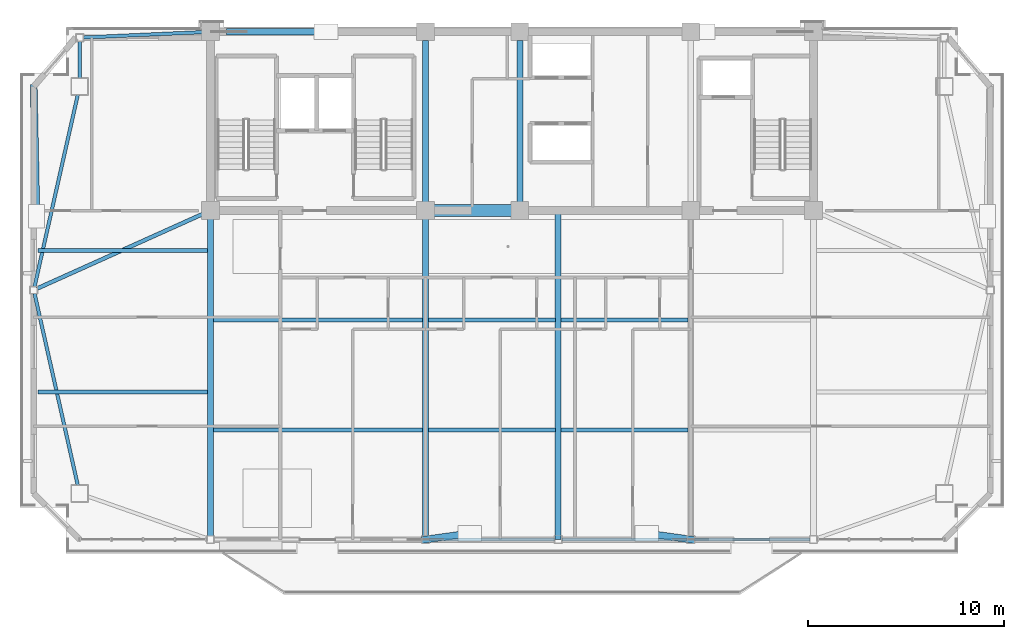
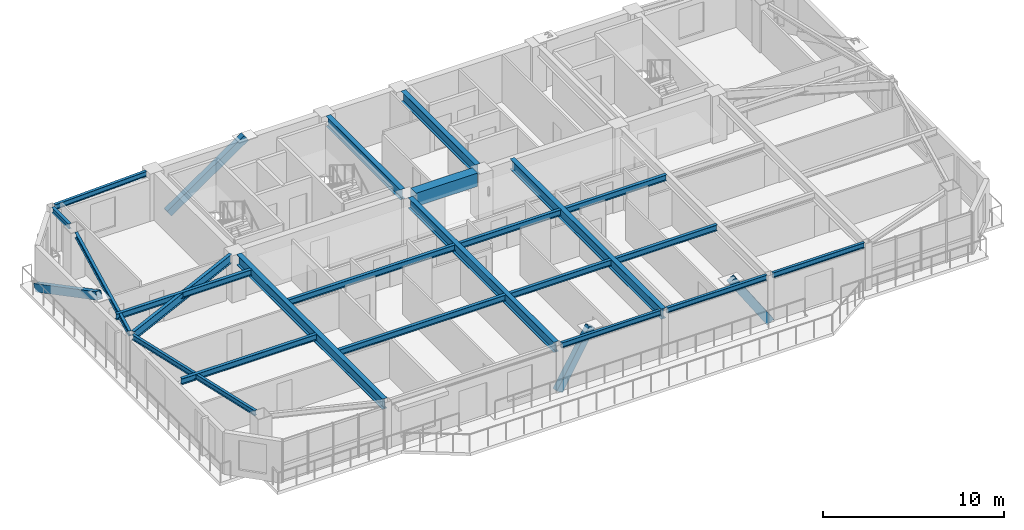
# One storey, part 3 of 14: 22 beams, 4 members.
"""IFC4 building model written with IfcOpenShell, lengths in metres."""

from ifc_helpers import new_model, si_unit, direction, frame, origin, origin_2d, place, context, subcontext, project, spatial, rectangle, hollow_rectangle, i_section, extrude, source, transform, mapped, material, material_profile, profile_set, type_object, element, save


model = new_model("IFC4")

# Units and contexts
model_context = context("Model", 3, precision=1e-05, world=origin(), true_north=direction((0.0, 1.0)))
body_context = subcontext(model_context, "Body", "Model", "MODEL_VIEW")
ifc_project = project(units=[si_unit("LENGTHUNIT", "METRE"), si_unit("AREAUNIT", "SQUARE_METRE"), si_unit("VOLUMEUNIT", "CUBIC_METRE"), si_unit("PLANEANGLEUNIT", "RADIAN"), si_unit("MASSUNIT", "GRAM", prefix="KILO")], contexts=[model_context])

# Site, building, storey
site_placement = place(None, origin())
site = spatial("IfcSite", under=ifc_project, at=site_placement, CompositionType="ELEMENT")
building_placement = place(site_placement, origin())
building = spatial("IfcBuilding", under=site, at=building_placement, Name="Giltprow Tower", CompositionType="ELEMENT")
storey_placement = place(building_placement, frame((0.0, 0.0, 314.199951171875)))
storey = spatial("IfcBuildingStorey", under=building, at=storey_placement, Name="L81", CompositionType="ELEMENT", Elevation=314.199951171875)

# Beams
ifc_material_1 = material(Name="Structural steel Q355B", Category="steel")
ifc_material_profile_1 = material_profile(ifc_material_1, i_section(OverallWidth=0.199951171875, OverallDepth=0.39990234375, WebThickness=0.008056640625, FlangeThickness=0.012939453125, at=origin_2d()), Name="HN 400x200x8x13")
ifc_profile_set_1 = profile_set([ifc_material_profile_1], Name="Structural steel Q355B")
beam_type_1 = type_object("IfcBeamType", Name="BM-JOIST-HN400", PredefinedType="JOIST", material=ifc_profile_set_1)
shared_shape_1 = source(origin(), body_context, "Body", "SweptSolid", [
    extrude(i_section(OverallWidth=0.199951171875, OverallDepth=0.39990234375, WebThickness=0.008056640625, FlangeThickness=0.012939453125, at=origin_2d()), origin(), (0.0, 0.0, 1.0), 10.659912109375),
])
for number, where, z_axis, x_axis, name in (
    (1, (19.9951171875, 26.285888671875, 2.985107421875), (1.0, 0.0, 0.0), (0.0, 1.0, 0.0), "L81 Composite Floor Joist 1-1"),
    (2, (19.9951171875, 31.867919921875, 2.985107421875), (1.0, 0.0, 0.0), (0.0, 1.0, 0.0), "L81 Composite Floor Joist 2-1"),
):
    element("IfcBeam", number, at=place(storey_placement, frame(where, z_axis=z_axis, x_axis=x_axis)), inside=storey, type_object=beam_type_1, Name=name, PredefinedType="JOIST", context=body_context, shape_type="MappedRepresentation", body=[
        mapped(shared_shape_1, transform((0.0, 0.0, 0.0), x_axis=(1.0, 0.0, 0.0), y_axis=(0.0, 1.0, 0.0), z_axis=(0.0, 0.0, 1.0), scale=1.0)),
    ])
shared_shape_2 = source(origin(), body_context, "Body", "SweptSolid", [
    extrude(i_section(OverallWidth=0.199951171875, OverallDepth=0.39990234375, WebThickness=0.008056640625, FlangeThickness=0.012939453125, at=origin_2d()), origin(), (0.0, 0.0, 1.0), 6.4599609375),
])
for number, where, z_axis, x_axis, name in (
    (3, (30.945068359375, 26.285888671875, 2.985107421875), (1.0, 0.0, 0.0), (0.0, 1.0, 0.0), "L81 Composite Floor Joist 1-2"),
    (4, (37.695068359375, 26.285888671875, 2.985107421875), (1.0, 0.0, 0.0), (0.0, 1.0, 0.0), "L81 Composite Floor Joist 1-3"),
    (5, (30.945068359375, 31.867919921875, 2.985107421875), (1.0, 0.0, 0.0), (0.0, 1.0, 0.0), "L81 Composite Floor Joist 2-2"),
    (6, (37.695068359375, 31.867919921875, 2.985107421875), (1.0, 0.0, 0.0), (0.0, 1.0, 0.0), "L81 Composite Floor Joist 2-3"),
):
    element("IfcBeam", number, at=place(storey_placement, frame(where, z_axis=z_axis, x_axis=x_axis)), inside=storey, type_object=beam_type_1, Name=name, PredefinedType="JOIST", context=body_context, shape_type="MappedRepresentation", body=[
        mapped(shared_shape_2, transform((0.0, 0.0, 0.0), x_axis=(1.0, 0.0, 0.0), y_axis=(0.0, 1.0, 0.0), z_axis=(0.0, 0.0, 1.0), scale=1.0)),
    ])
ifc_material_2 = material(Name="Concrete C50", Category="concrete")
ifc_material_profile_2 = material_profile(ifc_material_2, rectangle(XDim=0.60009765625, YDim=0.89990234375, at=origin_2d()), Name="RC 900x600")
ifc_profile_set_2 = profile_set([ifc_material_profile_2], Name="Concrete C50")
beam_type_2 = type_object("IfcBeamType", Name="BM-CPL-RC900", PredefinedType="LINTEL", material=ifc_profile_set_2)
shared_shape_3 = source(origin(), body_context, "Body", "SweptSolid", [
    extrude(rectangle(XDim=0.60009765625, YDim=0.89990234375, at=origin_2d()), origin(), (0.0, 0.0, 1.0), 3.929931640625),
])
beam_1_placement = place(storey_placement, frame((31.235107421875, 37.449951171875, 2.735107421875), z_axis=(1.0, 0.0, 0.0), x_axis=(0.0, 1.0, 0.0)))
element("IfcBeam", 7, at=beam_1_placement, inside=storey, type_object=beam_type_2, Name="L81 Core Coupling Beam CB-1", PredefinedType="LINTEL", context=body_context, shape_type="MappedRepresentation", body=[
    mapped(shared_shape_3, transform((0.0, 0.0, 0.0), x_axis=(1.0, 0.0, 0.0), y_axis=(0.0, 1.0, 0.0), z_axis=(0.0, 0.0, 1.0), scale=1.0)),
])
ifc_material_profile_3 = material_profile(ifc_material_1, i_section(OverallWidth=0.300048828125, OverallDepth=0.699951171875, WebThickness=0.012939453125, FlangeThickness=0.02392578125, at=origin_2d()), Name="HN 700x300x13x24")
ifc_profile_set_3 = profile_set([ifc_material_profile_3], Name="Structural steel Q355B")
beam_type_3 = type_object("IfcBeamType", Name="BM-GIRD-HN700", PredefinedType="BEAM", material=ifc_profile_set_3)
shared_shape_4 = source(origin(), body_context, "Body", "SweptSolid", [
    extrude(i_section(OverallWidth=0.300048828125, OverallDepth=0.699951171875, WebThickness=0.012939453125, FlangeThickness=0.02392578125, at=origin_2d()), origin(), (0.0, 0.0, 1.0), 8.22998046875),
])
for number, where, z_axis, x_axis, name in (
    (8, (30.800048828125, 37.885009765625, 2.8349609375), (0.0, 1.0, 0.0), (-1.0, 0.0, 0.0), "L81 Core Tie Girder M1"),
    (9, (35.60009765625, 37.885009765625, 2.8349609375), (0.0, 1.0, 0.0), (-1.0, 0.0, 0.0), "L81 Core Tie Girder M2"),
):
    element("IfcBeam", number, at=place(storey_placement, frame(where, z_axis=z_axis, x_axis=x_axis)), inside=storey, type_object=beam_type_3, Name=name, PredefinedType="BEAM", context=body_context, shape_type="MappedRepresentation", body=[
        mapped(shared_shape_4, transform((0.0, 0.0, 0.0), x_axis=(1.0, 0.0, 0.0), y_axis=(0.0, 1.0, 0.0), z_axis=(0.0, 0.0, 1.0), scale=1.0)),
    ])
ifc_material_profile_4 = material_profile(ifc_material_1, i_section(OverallWidth=0.175048828125, OverallDepth=0.35009765625, WebThickness=0.007080078125, FlangeThickness=0.010986328125, at=origin_2d()), Name="HN 350x175x7x11")
ifc_profile_set_4 = profile_set([ifc_material_profile_4], Name="Structural steel Q355B")
beam_type_4 = type_object("IfcBeamType", Name="BM-SPAN-HN350", PredefinedType="SPANDREL", material=ifc_profile_set_4)
shared_shape_5 = source(origin(), body_context, "Body", "SweptSolid", [
    extrude(i_section(OverallWidth=0.175048828125, OverallDepth=0.35009765625, WebThickness=0.007080078125, FlangeThickness=0.010986328125, at=origin_2d()), origin(), (0.0, 0.0, 1.0), 6.3798828125),
])
for number, where, z_axis, x_axis, name in (
    (10, (30.985107421875, 20.7041015625, 3.010009765625), (1.0, 0.0, 0.0), (0.0, 1.0, 0.0), "L81 Perimeter Spandrel Beam S2-S_MID"),
    (11, (37.735107421875, 20.7041015625, 3.010009765625), (1.0, 0.0, 0.0), (0.0, 1.0, 0.0), "L81 Perimeter Spandrel Beam S_MID-S3"),
):
    element("IfcBeam", number, at=place(storey_placement, frame(where, z_axis=z_axis, x_axis=x_axis)), inside=storey, type_object=beam_type_4, Name=name, PredefinedType="SPANDREL", context=body_context, shape_type="MappedRepresentation", body=[
        mapped(shared_shape_5, transform((0.0, 0.0, 0.0), x_axis=(1.0, 0.0, 0.0), y_axis=(0.0, 1.0, 0.0), z_axis=(0.0, 0.0, 1.0), scale=1.0)),
    ])
shared_shape_6 = source(origin(), body_context, "Body", "SweptSolid", [
    extrude(i_section(OverallWidth=0.175048828125, OverallDepth=0.35009765625, WebThickness=0.007080078125, FlangeThickness=0.010986328125, at=origin_2d()), origin(), (0.0, 0.0, 1.0), 5.8798828125),
])
beam_2_placement = place(storey_placement, frame((44.485107421875, 20.7041015625, 3.010009765625), z_axis=(1.0, 0.0, 0.0), x_axis=(0.0, 1.0, 0.0)))
element("IfcBeam", 12, at=beam_2_placement, inside=storey, type_object=beam_type_4, Name="L81 Perimeter Spandrel Beam S3-S4", PredefinedType="SPANDREL", context=body_context, shape_type="MappedRepresentation", body=[
    mapped(shared_shape_6, transform((0.0, 0.0, 0.0), x_axis=(1.0, 0.0, 0.0), y_axis=(0.0, 1.0, 0.0), z_axis=(0.0, 0.0, 1.0), scale=1.0)),
])
shared_shape_7 = source(origin(), body_context, "Body", "SweptSolid", [
    extrude(i_section(OverallWidth=0.175048828125, OverallDepth=0.35009765625, WebThickness=0.007080078125, FlangeThickness=0.010986328125, at=origin_2d()), origin(), (0.0, 0.0, 1.0), 10.0009765625),
])
for number, where, z_axis, x_axis, name in (
    (13, (13.096923828125, 43.337890625, 3.010009765625), (-0.22006980481, -0.975484126478, 0.0), (0.975484126478, -0.22006980481, 0.0), "L81 Perimeter Spandrel Beam MC_NW-W_MID"),
    (14, (10.89599609375, 33.221923828125, 3.010009765625), (0.22006980481, -0.975484126478, 0.0), (0.975484126478, 0.22006980481, 0.0), "L81 Perimeter Spandrel Beam W_MID-MC_SW"),
):
    element("IfcBeam", number, at=place(storey_placement, frame(where, z_axis=z_axis, x_axis=x_axis)), inside=storey, type_object=beam_type_4, Name=name, PredefinedType="SPANDREL", context=body_context, shape_type="MappedRepresentation", body=[
        mapped(shared_shape_7, transform((0.0, 0.0, 0.0), x_axis=(1.0, 0.0, 0.0), y_axis=(0.0, 1.0, 0.0), z_axis=(0.0, 0.0, 1.0), scale=1.0)),
    ])
shared_shape_8 = source(origin(), body_context, "Body", "SweptSolid", [
    extrude(i_section(OverallWidth=0.175048828125, OverallDepth=0.35009765625, WebThickness=0.007080078125, FlangeThickness=0.010986328125, at=origin_2d()), origin(), (0.0, 0.0, 1.0), 1.867919921875),
])
beam_3_placement = place(storey_placement, frame((13.193115234375, 46.06494140625, 3.010009765625), z_axis=(0.0, -1.0, 0.0), x_axis=(1.0, 0.0, 0.0)))
element("IfcBeam", 15, at=beam_3_placement, inside=storey, type_object=beam_type_4, Name="L81 Perimeter Spandrel Beam N_W-MC_NW", PredefinedType="SPANDREL", context=body_context, shape_type="MappedRepresentation", body=[
    mapped(shared_shape_8, transform((0.0, 0.0, 0.0), x_axis=(1.0, 0.0, 0.0), y_axis=(0.0, 1.0, 0.0), z_axis=(0.0, 0.0, 1.0), scale=1.0)),
])
shared_shape_9 = source(origin(), body_context, "Body", "SweptSolid", [
    extrude(i_section(OverallWidth=0.175048828125, OverallDepth=0.35009765625, WebThickness=0.007080078125, FlangeThickness=0.010986328125, at=origin_2d()), origin(), (0.0, 0.0, 1.0), 6.043212890625),
])
beam_4_placement = place(storey_placement, frame((13.3779296875, 46.258056640625, 3.010009765625), z_axis=(0.998986784184, 0.045004500064, 0.0), x_axis=(-0.045004500064, 0.998986784184, 0.0)))
element("IfcBeam", 16, at=beam_4_placement, inside=storey, type_object=beam_type_4, Name="L81 North Wing Spandrel W", PredefinedType="SPANDREL", context=body_context, shape_type="MappedRepresentation", body=[
    mapped(shared_shape_9, transform((0.0, 0.0, 0.0), x_axis=(1.0, 0.0, 0.0), y_axis=(0.0, 1.0, 0.0), z_axis=(0.0, 0.0, 1.0), scale=1.0)),
])
shared_shape_10 = source(origin(), body_context, "Body", "SweptSolid", [
    extrude(i_section(OverallWidth=0.300048828125, OverallDepth=0.699951171875, WebThickness=0.012939453125, FlangeThickness=0.02392578125, at=origin_2d()), origin(), (0.0, 0.0, 1.0), 16.1259765625),
])
for number, where, z_axis, x_axis, name in (
    (17, (19.85009765625, 20.888916015625, 2.8349609375), (0.0, 1.0, 0.0), (-1.0, 0.0, 0.0), "L81 Primary Lease Girder S1"),
    (18, (30.800048828125, 20.888916015625, 2.8349609375), (0.0, 1.0, 0.0), (-1.0, 0.0, 0.0), "L81 Primary Lease Girder S2"),
):
    element("IfcBeam", number, at=place(storey_placement, frame(where, z_axis=z_axis, x_axis=x_axis)), inside=storey, type_object=beam_type_3, Name=name, PredefinedType="BEAM", context=body_context, shape_type="MappedRepresentation", body=[
        mapped(shared_shape_10, transform((0.0, 0.0, 0.0), x_axis=(1.0, 0.0, 0.0), y_axis=(0.0, 1.0, 0.0), z_axis=(0.0, 0.0, 1.0), scale=1.0)),
    ])
shared_shape_11 = source(origin(), body_context, "Body", "SweptSolid", [
    extrude(i_section(OverallWidth=0.300048828125, OverallDepth=0.699951171875, WebThickness=0.012939453125, FlangeThickness=0.02392578125, at=origin_2d()), origin(), (0.0, 0.0, 1.0), 16.745849609375),
])
beam_5_placement = place(storey_placement, frame((37.550048828125, 20.7041015625, 2.8349609375), z_axis=(0.0, 1.0, 0.0), x_axis=(-1.0, 0.0, 0.0)))
element("IfcBeam", 19, at=beam_5_placement, inside=storey, type_object=beam_type_3, Name="L81 Central Lease Girder SMID", PredefinedType="BEAM", context=body_context, shape_type="MappedRepresentation", body=[
    mapped(shared_shape_11, transform((0.0, 0.0, 0.0), x_axis=(1.0, 0.0, 0.0), y_axis=(0.0, 1.0, 0.0), z_axis=(0.0, 0.0, 1.0), scale=1.0)),
])
ifc_material_profile_5 = material_profile(ifc_material_1, i_section(OverallWidth=0.199951171875, OverallDepth=0.60009765625, WebThickness=0.010986328125, FlangeThickness=0.01708984375, at=origin_2d()), Name="HN 600x200x11x17")
ifc_profile_set_5 = profile_set([ifc_material_profile_5], Name="Structural steel Q355B")
beam_type_5 = type_object("IfcBeamType", Name="BM-GIRD-HN600", PredefinedType="BEAM", material=ifc_profile_set_5)
shared_shape_12 = source(origin(), body_context, "Body", "SweptSolid", [
    extrude(i_section(OverallWidth=0.199951171875, OverallDepth=0.60009765625, WebThickness=0.010986328125, FlangeThickness=0.01708984375, at=origin_2d()), origin(), (0.0, 0.0, 1.0), 9.2431640625),
])
beam_6_placement = place(storey_placement, frame((11.02392578125, 33.47802734375, 2.885009765625), z_axis=(0.91192397627, 0.410359185962, 0.0), x_axis=(-0.410359185962, 0.91192397627, 0.0)))
element("IfcBeam", 20, at=beam_6_placement, inside=storey, type_object=beam_type_5, Name="L81 West Wing Primary Girder", PredefinedType="BEAM", context=body_context, shape_type="MappedRepresentation", body=[
    mapped(shared_shape_12, transform((0.0, 0.0, 0.0), x_axis=(1.0, 0.0, 0.0), y_axis=(0.0, 1.0, 0.0), z_axis=(0.0, 0.0, 1.0), scale=1.0)),
])
shared_shape_13 = source(origin(), body_context, "Body", "SweptSolid", [
    extrude(i_section(OverallWidth=0.199951171875, OverallDepth=0.39990234375, WebThickness=0.008056640625, FlangeThickness=0.012939453125, at=origin_2d()), origin(), (0.0, 0.0, 1.0), 8.630126953125),
])
for number, where, z_axis, x_axis, name in (
    (21, (11.074951171875, 28.221923828125, 2.985107421875), (1.0, 0.0, 0.0), (0.0, 1.0, 0.0), "L81 West Wing Floor Joist 1"),
    (22, (11.074951171875, 35.426025390625, 2.985107421875), (1.0, 0.0, 0.0), (0.0, 1.0, 0.0), "L81 West Wing Floor Joist 2"),
):
    element("IfcBeam", number, at=place(storey_placement, frame(where, z_axis=z_axis, x_axis=x_axis)), inside=storey, type_object=beam_type_1, Name=name, PredefinedType="JOIST", context=body_context, shape_type="MappedRepresentation", body=[
        mapped(shared_shape_13, transform((0.0, 0.0, 0.0), x_axis=(1.0, 0.0, 0.0), y_axis=(0.0, 1.0, 0.0), z_axis=(0.0, 0.0, 1.0), scale=1.0)),
    ])

# Members
ifc_material_3 = material(Name="Structural steel Q420GJC", Category="steel")
ifc_material_profile_6 = material_profile(ifc_material_3, hollow_rectangle(XDim=0.35009765625, YDim=0.5, WallThickness=0.02392578125, at=origin_2d()), Name="RHS 500x350x24")
ifc_profile_set_6 = profile_set([ifc_material_profile_6], Name="Structural steel Q420GJC")
member_type = type_object("IfcMemberType", Name="MBR-MEGA-RHS500", PredefinedType="BRACE", material=ifc_profile_set_6)
shared_shape_14 = source(origin(), body_context, "Body", "SweptSolid", [
    extrude(hollow_rectangle(XDim=0.35009765625, YDim=0.5, WallThickness=0.02392578125, at=origin_2d()), origin(), (0.0, 0.0, 1.0), 5.990966796875),
])
member_1_placement = place(storey_placement, frame((20.800048828125, 46.550048828125, -0.139892578125), z_axis=(0.823374311816, 0.0, 0.56749867193), x_axis=(0.0, 1.0, 0.0)))
element("IfcMember", 23, at=member_1_placement, inside=storey, type_object=member_type, Name="L81 Chevron Mega-Brace N-L", PredefinedType="BRACE", context=body_context, shape_type="MappedRepresentation", body=[
    mapped(shared_shape_14, transform((0.0, 0.0, 0.0), x_axis=(1.0, 0.0, 0.0), y_axis=(0.0, 1.0, 0.0), z_axis=(0.0, 0.0, 1.0), scale=1.0)),
])
shared_shape_15 = source(origin(), body_context, "Body", "SweptSolid", [
    extrude(hollow_rectangle(XDim=0.35009765625, YDim=0.5, WallThickness=0.02392578125, at=origin_2d()), origin(), (0.0, 0.0, 1.0), 4.089111328125),
])
for number, where, z_axis, x_axis, name in (
    (24, (30.800048828125, 20.7041015625, 0.0), (0.550254052163, 0.07600622921, 0.831530835989), (-0.136830167681, 0.990594521089, 0.0), "L81 Chevron Mega-Brace S-L"),
    (25, (44.300048828125, 20.7041015625, 0.0), (-0.550254052163, 0.07600622921, 0.831530835989), (-0.136830167681, -0.990594521089, 0.0), "L81 Chevron Mega-Brace S-R"),
):
    element("IfcMember", number, at=place(storey_placement, frame(where, z_axis=z_axis, x_axis=x_axis)), inside=storey, type_object=member_type, Name=name, PredefinedType="BRACE", context=body_context, shape_type="MappedRepresentation", body=[
        mapped(shared_shape_15, transform((0.0, 0.0, 0.0), x_axis=(1.0, 0.0, 0.0), y_axis=(0.0, 1.0, 0.0), z_axis=(0.0, 0.0, 1.0), scale=1.0)),
    ])
shared_shape_16 = source(origin(), body_context, "Body", "SweptSolid", [
    extrude(hollow_rectangle(XDim=0.35009765625, YDim=0.5, WallThickness=0.02392578125, at=origin_2d()), origin(), (0.0, 0.0, 1.0), 7.435546875),
])
member_2_placement = place(storey_placement, frame((10.85498046875, 43.761962890625, 0.0), z_axis=(0.018551504183, -0.889125985437, 0.457286369481), x_axis=(0.999782399503, 0.020860336634, 0.0)))
element("IfcMember", 26, at=member_2_placement, inside=storey, type_object=member_type, Name="L81 Chevron Mega-Brace W-D", PredefinedType="BRACE", context=body_context, shape_type="MappedRepresentation", body=[
    mapped(shared_shape_16, transform((0.0, 0.0, 0.0), x_axis=(1.0, 0.0, 0.0), y_axis=(0.0, 1.0, 0.0), z_axis=(0.0, 0.0, 1.0), scale=1.0)),
])

save(model, "model.ifc")
